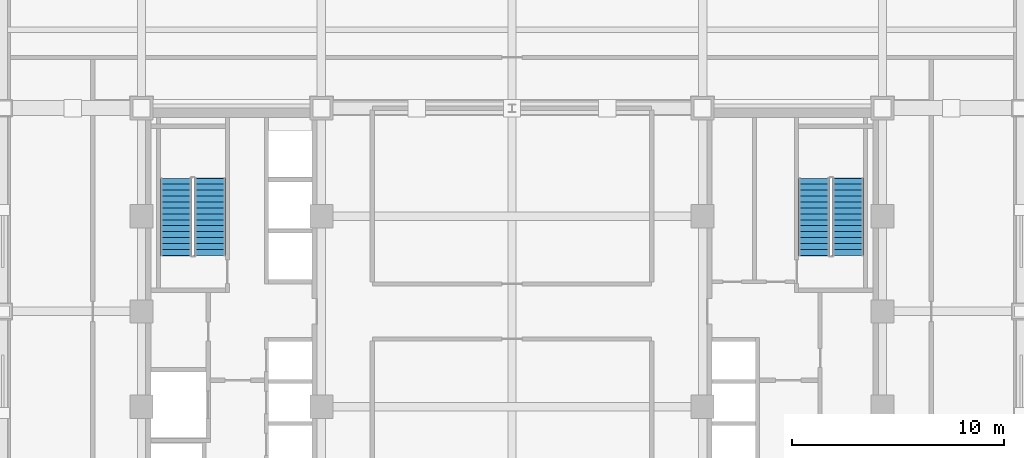
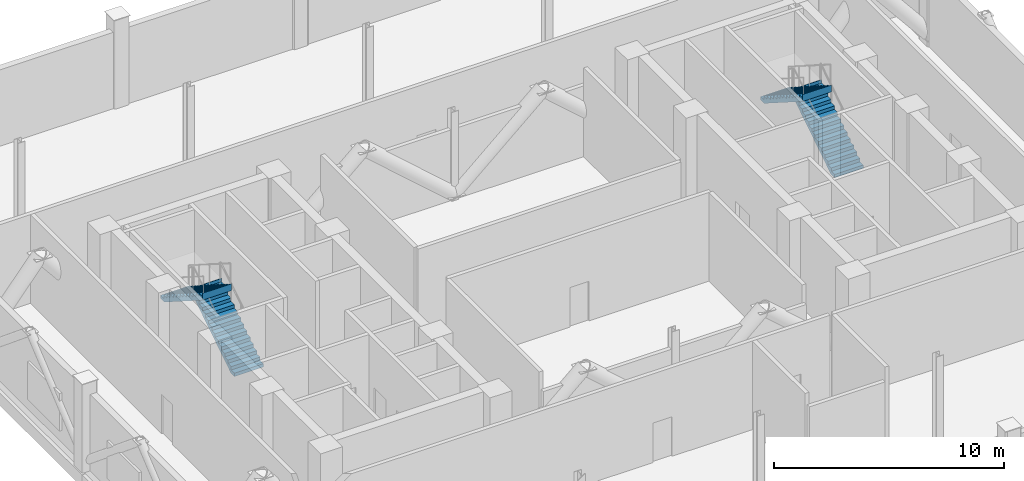
# One storey, part 8 of 12: 4 stair flights, 2 elements without a shape of their own.
"""IFC4 building model written with IfcOpenShell, lengths in metres."""

from ifc_helpers import new_model, si_unit, direction, frame, origin, place, context, subcontext, project, spatial, polyline, outline, extrude, material, type_object, element, aggregate, save


model = new_model("IFC4")

# Units and contexts
model_context = context("Model", 3, precision=1e-05, world=origin(), true_north=direction((0.0, 1.0)))
body_context = subcontext(model_context, "Body", "Model", "MODEL_VIEW")
ifc_project = project(units=[si_unit("LENGTHUNIT", "METRE"), si_unit("AREAUNIT", "SQUARE_METRE"), si_unit("VOLUMEUNIT", "CUBIC_METRE"), si_unit("PLANEANGLEUNIT", "RADIAN"), si_unit("MASSUNIT", "GRAM", prefix="KILO")], contexts=[model_context])

# Site, building, storey
site_placement = place(None, origin())
site = spatial("IfcSite", under=ifc_project, at=site_placement, CompositionType="ELEMENT")
building_placement = place(site_placement, origin())
building = spatial("IfcBuilding", under=site, at=building_placement, Name="Nuvemarco Arch Tower", CompositionType="ELEMENT")
storey_placement = place(building_placement, frame((0.0, 0.0, 93.300048828125)))
storey = spatial("IfcBuildingStorey", under=building, at=storey_placement, Name="L24", CompositionType="ELEMENT", Elevation=93.300048828125)

# Stair, stair flights
ifc_material = material(Name="Precast concrete C45/55", Category="concrete")
stair_type = type_object("IfcStairType", Name="ST-CORE-28R", PredefinedType="HALF_TURN_STAIR", material=ifc_material)
stair_1_placement = place(storey_placement, origin())
stair_1 = element("IfcStair", 1, at=stair_1_placement, inside=storey, type_object=stair_type, Name="L24 Protected Exit Stair ST-1", PredefinedType="HALF_TURN_STAIR")
stair_flight_type = type_object("IfcStairFlightType", Name="SF-CORE-28R", PredefinedType="STRAIGHT", material=ifc_material)
stair_flight_1_placement = place(storey_placement, frame((-14.264892578125, 2.64990234375, 0.0), z_axis=(0.0, 0.0, 1.0), x_axis=(0.0, 1.0, 0.0)))
stair_flight_1 = element("IfcStairFlight", 2, at=stair_flight_1_placement, type_object=stair_flight_type, Name="ST-28R flight 1", NumberOfRisers=14, NumberOfTreads=13, PredefinedType="STRAIGHT", RiserHeight=0.178571429, TreadLength=0.28, context=body_context, shape_type="SweptSolid", body=[
    extrude(outline(polyline([(0.0, 0.0), (0.0, 0.178466796875), (0.280029296875, 0.178466796875), (0.280029296875, 0.357177734375), (0.56005859375, 0.357177734375), (0.56005859375, 0.53564453125), (0.840087890625, 0.53564453125), (0.840087890625, 0.71435546875), (1.1201171875, 0.71435546875), (1.1201171875, 0.892822265625), (1.39990234375, 0.892822265625), (1.39990234375, 1.071533203125), (1.679931640625, 1.071533203125), (1.679931640625, 1.25), (1.9599609375, 1.25), (1.9599609375, 1.428466796875), (2.239990234375, 1.428466796875), (2.239990234375, 1.607177734375), (2.52001953125, 1.607177734375), (2.52001953125, 1.78564453125), (2.800048828125, 1.78564453125), (2.800048828125, 1.96435546875), (3.080078125, 1.96435546875), (3.080078125, 2.142822265625), (3.360107421875, 2.142822265625), (3.360107421875, 2.321533203125), (3.639892578125, 2.321533203125), (3.639892578125, 2.5), (3.659912109375, 2.5), (3.659912109375, 2.1318359375), (0.3173828125, 0.0), (0.0, 0.0)])), frame((0.0, 0.72509765625, 0.0), z_axis=(0.0, -1.0, 0.0), x_axis=(1.0, 0.0, 0.0)), (0.0, 0.0, 1.0), 1.449951171875),
])
stair_flight_2_placement = place(storey_placement, frame((-15.875, 6.2900390625, 2.5), z_axis=(0.0, 0.0, 1.0), x_axis=(0.0, -1.0, 0.0)))
stair_flight_2 = element("IfcStairFlight", 3, at=stair_flight_2_placement, type_object=stair_flight_type, Name="ST-28R flight 2", NumberOfRisers=14, NumberOfTreads=13, PredefinedType="STRAIGHT", RiserHeight=0.178571429, TreadLength=0.28, context=body_context, shape_type="SweptSolid", body=[
    extrude(outline(polyline([(0.0, 0.0), (0.0, 0.178466796875), (0.280029296875, 0.178466796875), (0.280029296875, 0.357177734375), (0.56005859375, 0.357177734375), (0.56005859375, 0.53564453125), (0.840087890625, 0.53564453125), (0.840087890625, 0.71435546875), (1.1201171875, 0.71435546875), (1.1201171875, 0.892822265625), (1.39990234375, 0.892822265625), (1.39990234375, 1.071533203125), (1.679931640625, 1.071533203125), (1.679931640625, 1.25), (1.9599609375, 1.25), (1.9599609375, 1.428466796875), (2.239990234375, 1.428466796875), (2.239990234375, 1.607177734375), (2.52001953125, 1.607177734375), (2.52001953125, 1.78564453125), (2.800048828125, 1.78564453125), (2.800048828125, 1.96435546875), (3.080078125, 1.96435546875), (3.080078125, 2.142822265625), (3.360107421875, 2.142822265625), (3.360107421875, 2.321533203125), (3.639892578125, 2.321533203125), (3.639892578125, 2.5), (3.659912109375, 2.5), (3.659912109375, 2.1318359375), (0.3173828125, 0.0), (0.0, 0.0)])), frame((0.0, 0.72509765625, 0.0), z_axis=(0.0, -1.0, 0.0), x_axis=(1.0, 0.0, 0.0)), (0.0, 0.0, 1.0), 1.449951171875),
])
aggregate(stair_1, [stair_flight_1, stair_flight_2])

stair_2_placement = place(storey_placement, origin())
stair_2 = element("IfcStair", 4, at=stair_2_placement, inside=storey, type_object=stair_type, Name="L24 Protected Exit Stair ST-2", PredefinedType="HALF_TURN_STAIR")
stair_flight_3_placement = place(storey_placement, frame((15.875, 2.64990234375, 0.0), z_axis=(0.0, 0.0, 1.0), x_axis=(0.0, 1.0, 0.0)))
stair_flight_3 = element("IfcStairFlight", 5, at=stair_flight_3_placement, type_object=stair_flight_type, Name="ST-28R flight 1", NumberOfRisers=14, NumberOfTreads=13, PredefinedType="STRAIGHT", RiserHeight=0.178571429, TreadLength=0.28, context=body_context, shape_type="SweptSolid", body=[
    extrude(outline(polyline([(0.0, 0.0), (0.0, 0.178466796875), (0.280029296875, 0.178466796875), (0.280029296875, 0.357177734375), (0.56005859375, 0.357177734375), (0.56005859375, 0.53564453125), (0.840087890625, 0.53564453125), (0.840087890625, 0.71435546875), (1.1201171875, 0.71435546875), (1.1201171875, 0.892822265625), (1.39990234375, 0.892822265625), (1.39990234375, 1.071533203125), (1.679931640625, 1.071533203125), (1.679931640625, 1.25), (1.9599609375, 1.25), (1.9599609375, 1.428466796875), (2.239990234375, 1.428466796875), (2.239990234375, 1.607177734375), (2.52001953125, 1.607177734375), (2.52001953125, 1.78564453125), (2.800048828125, 1.78564453125), (2.800048828125, 1.96435546875), (3.080078125, 1.96435546875), (3.080078125, 2.142822265625), (3.360107421875, 2.142822265625), (3.360107421875, 2.321533203125), (3.639892578125, 2.321533203125), (3.639892578125, 2.5), (3.659912109375, 2.5), (3.659912109375, 2.1318359375), (0.3173828125, 0.0), (0.0, 0.0)])), frame((0.0, 0.72509765625, 0.0), z_axis=(0.0, -1.0, 0.0), x_axis=(1.0, 0.0, 0.0)), (0.0, 0.0, 1.0), 1.449951171875),
])
stair_flight_4_placement = place(storey_placement, frame((14.264892578125, 6.2900390625, 2.5), z_axis=(0.0, 0.0, 1.0), x_axis=(0.0, -1.0, 0.0)))
stair_flight_4 = element("IfcStairFlight", 6, at=stair_flight_4_placement, type_object=stair_flight_type, Name="ST-28R flight 2", NumberOfRisers=14, NumberOfTreads=13, PredefinedType="STRAIGHT", RiserHeight=0.178571429, TreadLength=0.28, context=body_context, shape_type="SweptSolid", body=[
    extrude(outline(polyline([(0.0, 0.0), (0.0, 0.178466796875), (0.280029296875, 0.178466796875), (0.280029296875, 0.357177734375), (0.56005859375, 0.357177734375), (0.56005859375, 0.53564453125), (0.840087890625, 0.53564453125), (0.840087890625, 0.71435546875), (1.1201171875, 0.71435546875), (1.1201171875, 0.892822265625), (1.39990234375, 0.892822265625), (1.39990234375, 1.071533203125), (1.679931640625, 1.071533203125), (1.679931640625, 1.25), (1.9599609375, 1.25), (1.9599609375, 1.428466796875), (2.239990234375, 1.428466796875), (2.239990234375, 1.607177734375), (2.52001953125, 1.607177734375), (2.52001953125, 1.78564453125), (2.800048828125, 1.78564453125), (2.800048828125, 1.96435546875), (3.080078125, 1.96435546875), (3.080078125, 2.142822265625), (3.360107421875, 2.142822265625), (3.360107421875, 2.321533203125), (3.639892578125, 2.321533203125), (3.639892578125, 2.5), (3.659912109375, 2.5), (3.659912109375, 2.1318359375), (0.3173828125, 0.0), (0.0, 0.0)])), frame((0.0, 0.72509765625, 0.0), z_axis=(0.0, -1.0, 0.0), x_axis=(1.0, 0.0, 0.0)), (0.0, 0.0, 1.0), 1.449951171875),
])
aggregate(stair_2, [stair_flight_3, stair_flight_4])

save(model, "model.ifc")
